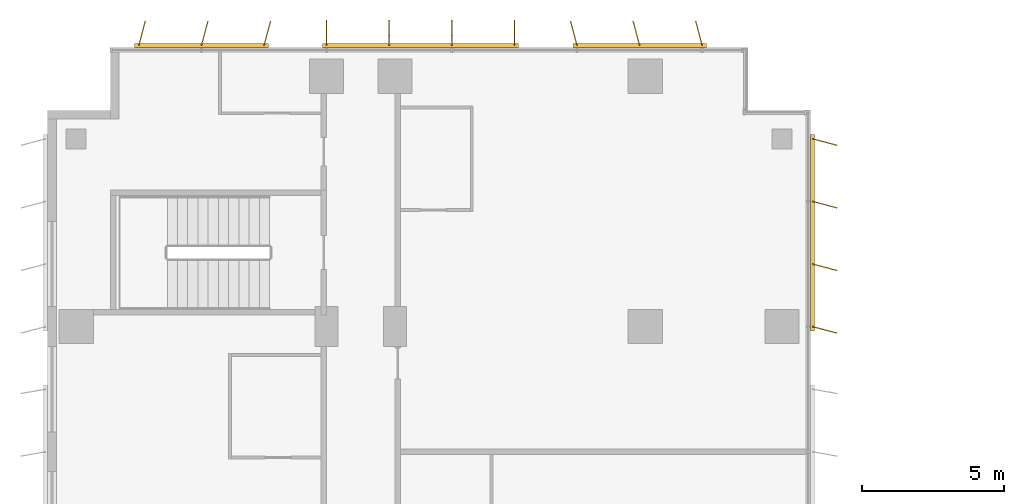
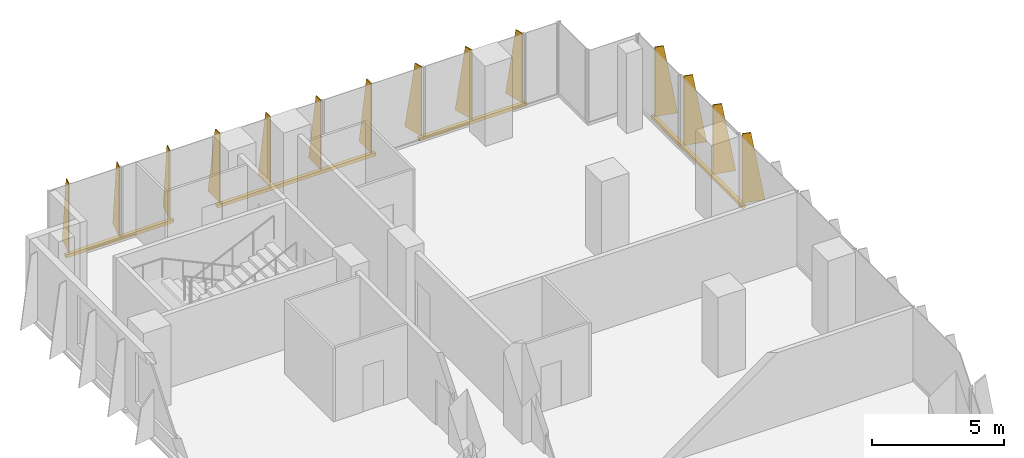
# One storey, part 22 of 22: 4 shading devices.
"""IFC4 building model written with IfcOpenShell, lengths in metres."""

from ifc_helpers import new_model, si_unit, direction, frame, origin, origin_2d, place, context, subcontext, project, spatial, polyline, rectangle, outline, extrude, source, transform, mapped, material, layer, layer_set, type_object, element, save


model = new_model("IFC4")

# Units and contexts
model_context = context("Model", 3, precision=1e-05, world=origin(), true_north=direction((0.0, 1.0)))
body_context = subcontext(model_context, "Body", "Model", "MODEL_VIEW")
ifc_project = project(units=[si_unit("LENGTHUNIT", "METRE"), si_unit("AREAUNIT", "SQUARE_METRE"), si_unit("VOLUMEUNIT", "CUBIC_METRE"), si_unit("PLANEANGLEUNIT", "RADIAN"), si_unit("MASSUNIT", "GRAM", prefix="KILO")], contexts=[model_context])

# Site, building, storey
site_placement = place(None, origin())
site = spatial("IfcSite", under=ifc_project, at=site_placement, CompositionType="ELEMENT")
building_placement = place(site_placement, origin())
building = spatial("IfcBuilding", under=site, at=building_placement, Name="Kemantara Hotel Tower", CompositionType="ELEMENT")
storey_placement = place(building_placement, frame((0.0, 0.0, 122.199951171875)))
storey = spatial("IfcBuildingStorey", under=building, at=storey_placement, Name="L29", CompositionType="ELEMENT", Elevation=122.199951171875)

# Shading devices
ifc_material = material(Name="Perforated aluminium plate 4 mm bronze anodised", Category="aluminium")
ifc_layer_1 = layer(ifc_material, 0.0400390625)
ifc_layer_set_1 = layer_set([ifc_layer_1], Name="Perforated aluminium plate 4 mm bronze anodised")
shading_device_type_1 = type_object("IfcShadingDeviceType", Name="SCREEN FIN CASSETTE, 3 BLADES AT -15.0 DEG, 3200 HIGH", PredefinedType="USERDEFINED", material=ifc_layer_set_1)
shared_shape_1 = source(origin(), body_context, "Body", "SweptSolid", [
    extrude(rectangle(XDim=4.699951171875, YDim=0.14990234375, at=origin_2d()), frame((2.199951171875, -0.074951171875, -0.14990234375), z_axis=(0.0, 0.0, 1.0), x_axis=(1.0, 0.0, 0.0)), (0.0, 0.0, 1.0), 0.14990234375),
    extrude(outline(polyline([(0.0, 0.0), (0.89990234375, 0.0), (0.35009765625, 3.199951171875), (0.0, 3.199951171875), (0.0, 0.0)])), frame((0.019287109375, -0.080078125, 0.0), z_axis=(-0.966437683387, 0.256901156343, 0.0), x_axis=(-0.256901156343, -0.966437683387, 0.0)), (0.0, 0.0, 1.0), 0.039794921875),
    extrude(outline(polyline([(0.0, 0.0), (0.89990234375, 0.0), (0.35009765625, 3.199951171875), (0.0, 3.199951171875), (0.0, 0.0)])), frame((2.21923828125, -0.080078125, 0.0), z_axis=(-0.966437683387, 0.256901156343, 0.0), x_axis=(-0.256901156343, -0.966437683387, 0.0)), (0.0, 0.0, 1.0), 0.039794921875),
    extrude(outline(polyline([(0.0, 0.0), (0.89990234375, 0.0), (0.35009765625, 3.199951171875), (0.0, 3.199951171875), (0.0, 0.0)])), frame((4.41943359375, -0.080078125, 0.0), z_axis=(-0.966837822169, 0.255391122837, 0.0), x_axis=(-0.255391122837, -0.966837822169, 0.0)), (0.0, 0.0, 1.0), 0.0400390625),
])
shading_device_1_placement = place(storey_placement, frame((7.60009765625, 81.199951171875, 0.10009765625), z_axis=(0.0, 0.0, 1.0), x_axis=(-1.0, 0.0, 0.0)))
element("IfcShadingDevice", 1, at=shading_device_1_placement, inside=storey, type_object=shading_device_type_1, Name="SCREEN FIN CASSETTE L29 T2-R01-3", ObjectType="SCREEN FIN", PredefinedType="USERDEFINED", context=body_context, shape_type="MappedRepresentation", body=[
    mapped(shared_shape_1, transform((0.0, 0.0, 0.0))),
])
ifc_layer_2 = layer(ifc_material, 0.0400390625)
ifc_layer_set_2 = layer_set([ifc_layer_2], Name="Perforated aluminium plate 4 mm bronze anodised")
shading_device_type_2 = type_object("IfcShadingDeviceType", Name="SCREEN FIN CASSETTE, 4 BLADES AT +0.0 DEG, 3200 HIGH", PredefinedType="USERDEFINED", material=ifc_layer_set_2)
shared_shape_2 = source(origin(), body_context, "Body", "SweptSolid", [
    extrude(rectangle(XDim=6.89990234375, YDim=0.14990234375, at=origin_2d()), frame((3.300048828125, -0.074951171875, -0.14990234375), z_axis=(0.0, 0.0, 1.0), x_axis=(1.0, 0.0, 0.0)), (0.0, 0.0, 1.0), 0.14990234375),
    extrude(outline(polyline([(0.0, 0.0), (0.89990234375, 0.0), (0.35009765625, 3.199951171875), (0.0, 3.199951171875), (0.0, 0.0)])), frame((0.02001953125, -0.074951171875, 0.0), z_axis=(-1.0, 0.0, 0.0), x_axis=(0.0, -1.0, 0.0)), (0.0, 0.0, 1.0), 0.0400390625),
    extrude(outline(polyline([(0.0, 0.0), (0.89990234375, 0.0), (0.35009765625, 3.199951171875), (0.0, 3.199951171875), (0.0, 0.0)])), frame((2.219970703125, -0.074951171875, 0.0), z_axis=(-1.0, 0.0, 0.0), x_axis=(0.0, -1.0, 0.0)), (0.0, 0.0, 1.0), 0.0400390625),
    extrude(outline(polyline([(0.0, 0.0), (0.89990234375, 0.0), (0.35009765625, 3.199951171875), (0.0, 3.199951171875), (0.0, 0.0)])), frame((4.419921875, -0.074951171875, 0.0), z_axis=(-1.0, 0.0, 0.0), x_axis=(0.0, -1.0, 0.0)), (0.0, 0.0, 1.0), 0.0400390625),
    extrude(outline(polyline([(0.0, 0.0), (0.89990234375, 0.0), (0.35009765625, 3.199951171875), (0.0, 3.199951171875), (0.0, 0.0)])), frame((6.6201171875, -0.074951171875, 0.0), z_axis=(-1.0, 0.0, 0.0), x_axis=(0.0, -1.0, 0.0)), (0.0, 0.0, 1.0), 0.0400390625),
])
shading_device_2_placement = place(storey_placement, frame((16.39990234375, 81.199951171875, 0.10009765625), z_axis=(0.0, 0.0, 1.0), x_axis=(-1.0, 0.0, 0.0)))
element("IfcShadingDevice", 2, at=shading_device_2_placement, inside=storey, type_object=shading_device_type_2, Name="SCREEN FIN CASSETTE L29 T2-R01-2", ObjectType="SCREEN FIN", PredefinedType="USERDEFINED", context=body_context, shape_type="MappedRepresentation", body=[
    mapped(shared_shape_2, transform((0.0, 0.0, 0.0))),
])
ifc_layer_3 = layer(ifc_material, 0.0400390625)
ifc_layer_set_3 = layer_set([ifc_layer_3], Name="Perforated aluminium plate 4 mm bronze anodised")
shading_device_type_3 = type_object("IfcShadingDeviceType", Name="SCREEN FIN CASSETTE, 3 BLADES AT +15.0 DEG, 3200 HIGH", PredefinedType="USERDEFINED", material=ifc_layer_set_3)
shared_shape_3 = source(origin(), body_context, "Body", "SweptSolid", [
    extrude(rectangle(XDim=4.699951171875, YDim=0.14990234375, at=origin_2d()), frame((2.199951171875, -0.074951171875, -0.14990234375), z_axis=(0.0, 0.0, 1.0), x_axis=(1.0, 0.0, 0.0)), (0.0, 0.0, 1.0), 0.14990234375),
    extrude(outline(polyline([(0.0, 0.0), (0.89990234375, 0.0), (0.35009765625, 3.199951171875), (0.0, 3.199951171875), (0.0, 0.0)])), frame((0.019287109375, -0.06982421875, 0.0), z_axis=(-0.966437683387, -0.256901156343, 0.0), x_axis=(0.256901156343, -0.966437683387, 0.0)), (0.0, 0.0, 1.0), 0.039794921875),
    extrude(outline(polyline([(0.0, 0.0), (0.89990234375, 0.0), (0.35009765625, 3.199951171875), (0.0, 3.199951171875), (0.0, 0.0)])), frame((2.21923828125, -0.06982421875, 0.0), z_axis=(-0.966437683387, -0.256901156343, 0.0), x_axis=(0.256901156343, -0.966437683387, 0.0)), (0.0, 0.0, 1.0), 0.039794921875),
    extrude(outline(polyline([(0.0, 0.0), (0.89990234375, 0.0), (0.35009765625, 3.199951171875), (0.0, 3.199951171875), (0.0, 0.0)])), frame((4.41943359375, -0.06982421875, 0.0), z_axis=(-0.966837822169, -0.255391122837, 0.0), x_axis=(0.255391122837, -0.966837822169, 0.0)), (0.0, 0.0, 1.0), 0.0400390625),
])
shading_device_3_placement = place(storey_placement, frame((23.0, 81.199951171875, 0.10009765625), z_axis=(0.0, 0.0, 1.0), x_axis=(-1.0, 0.0, 0.0)))
element("IfcShadingDevice", 3, at=shading_device_3_placement, inside=storey, type_object=shading_device_type_3, Name="SCREEN FIN CASSETTE L29 T2-R01-1", ObjectType="SCREEN FIN", PredefinedType="USERDEFINED", context=body_context, shape_type="MappedRepresentation", body=[
    mapped(shared_shape_3, transform((0.0, 0.0, 0.0))),
])
ifc_layer_4 = layer(ifc_material, 0.0400390625)
ifc_layer_set_4 = layer_set([ifc_layer_4], Name="Perforated aluminium plate 4 mm bronze anodised")
shading_device_type_4 = type_object("IfcShadingDeviceType", Name="SCREEN FIN CASSETTE, 4 BLADES AT -15.0 DEG, 3200 HIGH", PredefinedType="USERDEFINED", material=ifc_layer_set_4)
shared_shape_4 = source(origin(), body_context, "Body", "SweptSolid", [
    extrude(rectangle(XDim=6.89990234375, YDim=0.14990234375, at=origin_2d()), frame((3.300048828125, -0.074951171875, -0.14990234375), z_axis=(0.0, 0.0, 1.0), x_axis=(1.0, 0.0, 0.0)), (0.0, 0.0, 1.0), 0.14990234375),
    extrude(outline(polyline([(0.0, 0.0), (0.89990234375, 0.0), (0.35009765625, 3.199951171875), (0.0, 3.199951171875), (0.0, 0.0)])), frame((0.019287109375, -0.080078125, 0.0), z_axis=(-0.966437683387, 0.256901156343, 0.0), x_axis=(-0.256901156343, -0.966437683387, 0.0)), (0.0, 0.0, 1.0), 0.039794921875),
    extrude(outline(polyline([(0.0, 0.0), (0.89990234375, 0.0), (0.35009765625, 3.199951171875), (0.0, 3.199951171875), (0.0, 0.0)])), frame((2.21923828125, -0.080078125, 0.0), z_axis=(-0.966437683387, 0.256901156343, 0.0), x_axis=(-0.256901156343, -0.966437683387, 0.0)), (0.0, 0.0, 1.0), 0.039794921875),
    extrude(outline(polyline([(0.0, 0.0), (0.89990234375, 0.0), (0.35009765625, 3.199951171875), (0.0, 3.199951171875), (0.0, 0.0)])), frame((4.41943359375, -0.080078125, 0.0), z_axis=(-0.966837822169, 0.255391122837, 0.0), x_axis=(-0.255391122837, -0.966837822169, 0.0)), (0.0, 0.0, 1.0), 0.0400390625),
    extrude(outline(polyline([(0.0, 0.0), (0.89990234375, 0.0), (0.35009765625, 3.199951171875), (0.0, 3.199951171875), (0.0, 0.0)])), frame((6.619384765625, -0.080078125, 0.0), z_axis=(-0.966837822169, 0.255391122837, 0.0), x_axis=(-0.255391122837, -0.966837822169, 0.0)), (0.0, 0.0, 1.0), 0.0400390625),
])
shading_device_4_placement = place(storey_placement, frame((26.800048828125, 71.39990234375, 0.10009765625), z_axis=(0.0, 0.0, 1.0), x_axis=(0.0, 1.0, 0.0)))
element("IfcShadingDevice", 4, at=shading_device_4_placement, inside=storey, type_object=shading_device_type_4, Name="SCREEN FIN CASSETTE L29 T2-R14-7", ObjectType="SCREEN FIN", PredefinedType="USERDEFINED", context=body_context, shape_type="MappedRepresentation", body=[
    mapped(shared_shape_4, transform((0.0, 0.0, 0.0))),
])

save(model, "model.ifc")
